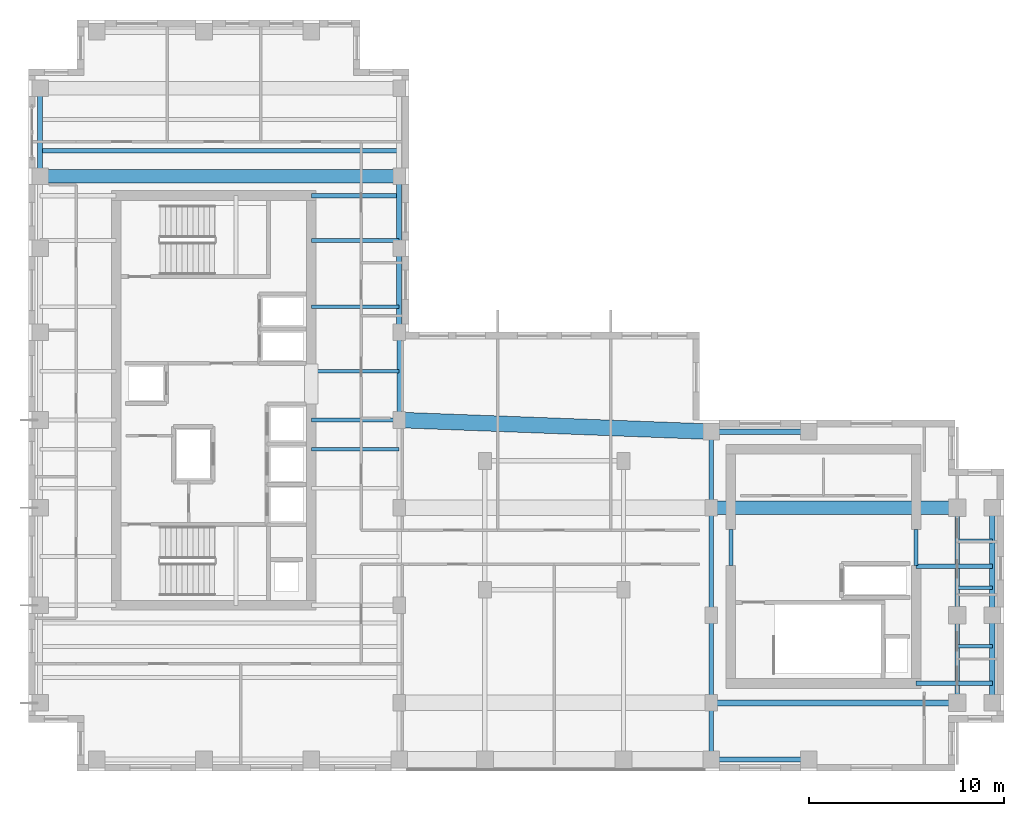
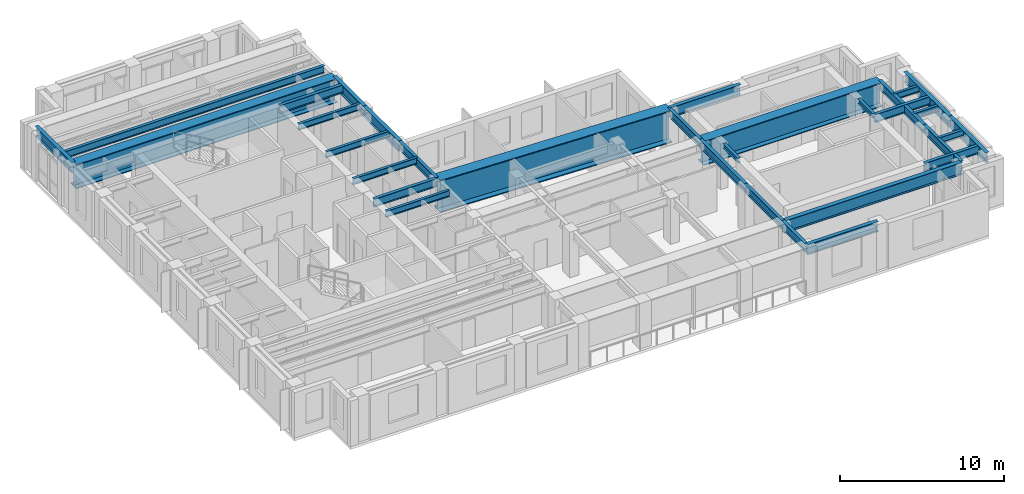
# One storey, part 3 of 13: 32 beams.
"""IFC4 building model written with IfcOpenShell, lengths in metres."""

from ifc_helpers import new_model, si_unit, direction, frame, origin, origin_2d, place, context, subcontext, project, spatial, i_section, extrude, source, transform, mapped, material, material_profile, profile_set, type_object, element, save


model = new_model("IFC4")

# Units and contexts
model_context = context("Model", 3, precision=1e-05, world=origin(), true_north=direction((0.0, 1.0)))
body_context = subcontext(model_context, "Body", "Model", "MODEL_VIEW")
ifc_project = project(units=[si_unit("LENGTHUNIT", "METRE"), si_unit("AREAUNIT", "SQUARE_METRE"), si_unit("VOLUMEUNIT", "CUBIC_METRE"), si_unit("PLANEANGLEUNIT", "RADIAN"), si_unit("MASSUNIT", "GRAM", prefix="KILO")], contexts=[model_context])

# Site, building, storey
site_placement = place(None, origin())
site = spatial("IfcSite", under=ifc_project, at=site_placement, CompositionType="ELEMENT")
building_placement = place(site_placement, origin())
building = spatial("IfcBuilding", under=site, at=building_placement, Name="Kharzan Plaza Tower", CompositionType="ELEMENT")
storey_placement = place(building_placement, frame((0.0, 0.0, 259.199951171875)))
storey = spatial("IfcBuildingStorey", under=building, at=storey_placement, Name="L70", CompositionType="ELEMENT", Elevation=259.199951171875)

# Beams
ifc_material = material(Name="Steel S355", Category="steel")
ifc_material_profile_1 = material_profile(ifc_material, i_section(OverallWidth=0.205078125, OverallDepth=0.35400390625, WebThickness=0.009521484375, FlangeThickness=0.016845703125, at=origin_2d()), Name="W360x79")
ifc_profile_set_1 = profile_set([ifc_material_profile_1], Name="Steel S355")
beam_type_1 = type_object("IfcBeamType", Name="BM-LNT360", PredefinedType="LINTEL", material=ifc_profile_set_1)
shared_shape_1 = source(origin(), body_context, "Body", "SweptSolid", [
    extrude(i_section(OverallWidth=0.205078125, OverallDepth=0.35400390625, WebThickness=0.009521484375, FlangeThickness=0.016845703125, at=origin_2d()), origin(), (0.0, 0.0, 1.0), 1.849853515625),
])
for number, where, z_axis, x_axis, name in (
    (1, (45.5, 10.550048828125, 3.22314453125), (0.0, 1.0, 0.0), (-1.0, 0.0, 0.0), "L70 CORE-B coupling lintel LN1-WE"),
    (2, (36.0, 10.550048828125, 3.22314453125), (0.0, 1.0, 0.0), (-1.0, 0.0, 0.0), "L70 CORE-B coupling lintel LN1-WW"),
):
    element("IfcBeam", number, at=place(storey_placement, frame(where, z_axis=z_axis, x_axis=x_axis)), inside=storey, type_object=beam_type_1, Name=name, PredefinedType="LINTEL", context=body_context, shape_type="MappedRepresentation", body=[
        mapped(shared_shape_1, transform((0.0, 0.0, 0.0), x_axis=(1.0, 0.0, 0.0), y_axis=(0.0, 1.0, 0.0), z_axis=(0.0, 0.0, 1.0))),
    ])
ifc_material_profile_2 = material_profile(ifc_material, i_section(OverallWidth=0.304931640625, OverallDepth=0.9189453125, WebThickness=0.017333984375, FlangeThickness=0.02783203125, at=origin_2d()), Name="W920x253")
ifc_profile_set_2 = profile_set([ifc_material_profile_2], Name="Steel S355")
beam_type_2 = type_object("IfcBeamType", Name="BM-FG920B", PredefinedType="BEAM", material=ifc_profile_set_2)
shared_shape_2 = source(origin(), body_context, "Body", "SweptSolid", [
    extrude(i_section(OverallWidth=0.304931640625, OverallDepth=0.9189453125, WebThickness=0.017333984375, FlangeThickness=0.02783203125, at=origin_2d()), origin(), (0.0, 0.0, 1.0), 12.60009765625),
])
beam_1_placement = place(storey_placement, frame((35.0, 3.5, 2.9404296875), z_axis=(1.0, 0.0, 0.0), x_axis=(0.0, 1.0, 0.0)))
element("IfcBeam", 3, at=beam_1_placement, inside=storey, type_object=beam_type_2, Name="L70 Primary Floor Girder", PredefinedType="BEAM", context=body_context, shape_type="MappedRepresentation", body=[
    mapped(shared_shape_2, transform((0.0, 0.0, 0.0), x_axis=(1.0, 0.0, 0.0), y_axis=(0.0, 1.0, 0.0), z_axis=(0.0, 0.0, 1.0))),
])
ifc_material_profile_3 = material_profile(ifc_material, i_section(OverallWidth=0.2099609375, OverallDepth=0.537109375, WebThickness=0.010986328125, FlangeThickness=0.017333984375, at=origin_2d()), Name="W530x101")
ifc_profile_set_3 = profile_set([ifc_material_profile_3], Name="Steel S355")
beam_type_3 = type_object("IfcBeamType", Name="BM-JST530B", PredefinedType="JOIST", material=ifc_profile_set_3)
shared_shape_3 = source(origin(), body_context, "Body", "SweptSolid", [
    extrude(i_section(OverallWidth=0.2099609375, OverallDepth=0.537109375, WebThickness=0.010986328125, FlangeThickness=0.017333984375, at=origin_2d()), origin(), (0.0, 0.0, 1.0), 18.39990234375),
])
beam_2_placement = place(storey_placement, frame((0.60009765625, 31.800048828125, 3.131591796875), z_axis=(1.0, 0.0, 0.0), x_axis=(0.0, 1.0, 0.0)))
element("IfcBeam", 4, at=beam_2_placement, inside=storey, type_object=beam_type_3, Name="L70 Wing A Composite Joist 04", PredefinedType="JOIST", context=body_context, shape_type="MappedRepresentation", body=[
    mapped(shared_shape_3, transform((0.0, 0.0, 0.0), x_axis=(1.0, 0.0, 0.0), y_axis=(0.0, 1.0, 0.0), z_axis=(0.0, 0.0, 1.0))),
])
ifc_material_profile_4 = material_profile(ifc_material, i_section(OverallWidth=0.194091796875, OverallDepth=0.468994140625, WebThickness=0.011474609375, FlangeThickness=0.0205078125, at=origin_2d()), Name="W460x106")
ifc_profile_set_4 = profile_set([ifc_material_profile_4], Name="Steel S355")
beam_type_4 = type_object("IfcBeamType", Name="BM-JST460", PredefinedType="JOIST", material=ifc_profile_set_4)
shared_shape_4 = source(origin(), body_context, "Body", "SweptSolid", [
    extrude(i_section(OverallWidth=0.194091796875, OverallDepth=0.468994140625, WebThickness=0.011474609375, FlangeThickness=0.0205078125, at=origin_2d()), origin(), (0.0, 0.0, 1.0), 4.5),
])
for number, where, z_axis, x_axis, name in (
    (5, (14.5, 16.5, 3.16552734375), (1.0, 0.0, 0.0), (0.0, 1.0, 0.0), "L70 Wing A East Infill Joist 3"),
    (6, (14.5, 20.5, 3.16552734375), (1.0, 0.0, 0.0), (0.0, 1.0, 0.0), "L70 Wing A East Infill Joist 4"),
    (7, (14.5, 23.800048828125, 3.16552734375), (1.0, 0.0, 0.0), (0.0, 1.0, 0.0), "L70 Wing A East Infill Joist 5"),
    (8, (14.5, 27.199951171875, 3.16552734375), (1.0, 0.0, 0.0), (0.0, 1.0, 0.0), "L70 Wing A East Infill Joist 6"),
):
    element("IfcBeam", number, at=place(storey_placement, frame(where, z_axis=z_axis, x_axis=x_axis)), inside=storey, type_object=beam_type_4, Name=name, PredefinedType="JOIST", context=body_context, shape_type="MappedRepresentation", body=[
        mapped(shared_shape_4, transform((0.0, 0.0, 0.0), x_axis=(1.0, 0.0, 0.0), y_axis=(0.0, 1.0, 0.0), z_axis=(0.0, 0.0, 1.0))),
    ])
ifc_material_profile_5 = material_profile(ifc_material, i_section(OverallWidth=0.22900390625, OverallDepth=0.612060546875, WebThickness=0.011962890625, FlangeThickness=0.01953125, at=origin_2d()), Name="W610x125")
ifc_profile_set_5 = profile_set([ifc_material_profile_5], Name="Steel S355")
beam_type_5 = type_object("IfcBeamType", Name="BM-FG610B", PredefinedType="BEAM", material=ifc_profile_set_5)
shared_shape_5 = source(origin(), body_context, "Body", "SweptSolid", [
    extrude(i_section(OverallWidth=0.22900390625, OverallDepth=0.612060546875, WebThickness=0.011962890625, FlangeThickness=0.01953125, at=origin_2d()), origin(), (0.0, 0.0, 1.0), 4.5),
])
for number, where, z_axis, x_axis, name in (
    (9, (14.5, 18.0, 3.093994140625), (1.0, 0.0, 0.0), (0.0, 1.0, 0.0), "L70 Core-A East Floor Girder 2"),
    (10, (14.5, 29.5, 3.093994140625), (1.0, 0.0, 0.0), (0.0, 1.0, 0.0), "L70 Core-A East Floor Girder 3"),
    (11, (19.0, 18.0, 3.093994140625), (0.0, 1.0, 0.0), (-1.0, 0.0, 0.0), "L70 Interior Frame Girder"),
    (12, (35.0, 3.5, 3.093994140625), (0.0, 1.0, 0.0), (-1.0, 0.0, 0.0), "L70 Interior Frame Girder"),
    (13, (47.60009765625, 3.5, 3.093994140625), (0.0, 1.0, 0.0), (-1.0, 0.0, 0.0), "L70 Interior Frame Girder"),
):
    element("IfcBeam", number, at=place(storey_placement, frame(where, z_axis=z_axis, x_axis=x_axis)), inside=storey, type_object=beam_type_5, Name=name, PredefinedType="BEAM", context=body_context, shape_type="MappedRepresentation", body=[
        mapped(shared_shape_5, transform((0.0, 0.0, 0.0), x_axis=(1.0, 0.0, 0.0), y_axis=(0.0, 1.0, 0.0), z_axis=(0.0, 0.0, 1.0))),
    ])
shared_shape_6 = source(origin(), body_context, "Body", "SweptSolid", [
    extrude(i_section(OverallWidth=0.22900390625, OverallDepth=0.612060546875, WebThickness=0.011962890625, FlangeThickness=0.01953125, at=origin_2d()), origin(), (0.0, 0.0, 1.0), 3.89990234375),
])
for number, where, z_axis, x_axis, name in (
    (14, (45.5, 4.5, 3.093994140625), (1.0, 0.0, 0.0), (0.0, 1.0, 0.0), "L70 Core-B East Floor Girder 1"),
    (15, (45.5, 10.5, 3.093994140625), (1.0, 0.0, 0.0), (0.0, 1.0, 0.0), "L70 Core-B East Floor Girder 2"),
    (16, (35.0, 13.5, 3.093994140625), (0.0, 1.0, 0.0), (-1.0, 0.0, 0.0), "L70 Interior Frame Girder"),
):
    element("IfcBeam", number, at=place(storey_placement, frame(where, z_axis=z_axis, x_axis=x_axis)), inside=storey, type_object=beam_type_5, Name=name, PredefinedType="BEAM", context=body_context, shape_type="MappedRepresentation", body=[
        mapped(shared_shape_6, transform((0.0, 0.0, 0.0), x_axis=(1.0, 0.0, 0.0), y_axis=(0.0, 1.0, 0.0), z_axis=(0.0, 0.0, 1.0))),
    ])
shared_shape_7 = source(origin(), body_context, "Body", "SweptSolid", [
    extrude(i_section(OverallWidth=0.22900390625, OverallDepth=0.612060546875, WebThickness=0.011962890625, FlangeThickness=0.01953125, at=origin_2d()), origin(), (0.0, 0.0, 1.0), 5.5),
])
for number, where, z_axis, x_axis, name in (
    (17, (35.0, 8.0, 3.093994140625), (0.0, 1.0, 0.0), (-1.0, 0.0, 0.0), "L70 Interior Frame Girder"),
    (18, (47.60009765625, 8.0, 3.093994140625), (0.0, 1.0, 0.0), (-1.0, 0.0, 0.0), "L70 Interior Frame Girder"),
):
    element("IfcBeam", number, at=place(storey_placement, frame(where, z_axis=z_axis, x_axis=x_axis)), inside=storey, type_object=beam_type_5, Name=name, PredefinedType="BEAM", context=body_context, shape_type="MappedRepresentation", body=[
        mapped(shared_shape_7, transform((0.0, 0.0, 0.0), x_axis=(1.0, 0.0, 0.0), y_axis=(0.0, 1.0, 0.0), z_axis=(0.0, 0.0, 1.0))),
    ])
shared_shape_8 = source(origin(), body_context, "Body", "SweptSolid", [
    extrude(i_section(OverallWidth=0.22900390625, OverallDepth=0.612060546875, WebThickness=0.011962890625, FlangeThickness=0.01953125, at=origin_2d()), origin(), (0.0, 0.0, 1.0), 2.89990234375),
])
beam_3_placement = place(storey_placement, frame((35.0, 0.60009765625, 3.093994140625), z_axis=(0.0, 1.0, 0.0), x_axis=(-1.0, 0.0, 0.0)))
element("IfcBeam", 19, at=beam_3_placement, inside=storey, type_object=beam_type_5, Name="L70 Interior Frame Girder", PredefinedType="BEAM", context=body_context, shape_type="MappedRepresentation", body=[
    mapped(shared_shape_8, transform((0.0, 0.0, 0.0), x_axis=(1.0, 0.0, 0.0), y_axis=(0.0, 1.0, 0.0), z_axis=(0.0, 0.0, 1.0))),
])
shared_shape_9 = source(origin(), body_context, "Body", "SweptSolid", [
    extrude(i_section(OverallWidth=0.194091796875, OverallDepth=0.468994140625, WebThickness=0.011474609375, FlangeThickness=0.0205078125, at=origin_2d()), origin(), (0.0, 0.0, 1.0), 1.7998046875),
])
for number, where, z_axis, x_axis, name in (
    (20, (47.60009765625, 6.39990234375, 3.16552734375), (1.0, 0.0, 0.0), (0.0, 1.0, 0.0), "L70 Wing B Composite Joist 02"),
    (21, (47.60009765625, 9.39990234375, 3.16552734375), (1.0, 0.0, 0.0), (0.0, 1.0, 0.0), "L70 Wing B Composite Joist 03"),
    (22, (47.60009765625, 11.800048828125, 3.16552734375), (1.0, 0.0, 0.0), (0.0, 1.0, 0.0), "L70 Wing B Composite Joist 04"),
):
    element("IfcBeam", number, at=place(storey_placement, frame(where, z_axis=z_axis, x_axis=x_axis)), inside=storey, type_object=beam_type_4, Name=name, PredefinedType="JOIST", context=body_context, shape_type="MappedRepresentation", body=[
        mapped(shared_shape_9, transform((0.0, 0.0, 0.0), x_axis=(1.0, 0.0, 0.0), y_axis=(0.0, 1.0, 0.0), z_axis=(0.0, 0.0, 1.0))),
    ])
ifc_material_profile_6 = material_profile(ifc_material, i_section(OverallWidth=0.26708984375, OverallDepth=0.76611328125, WebThickness=0.014892578125, FlangeThickness=0.023681640625, at=origin_2d()), Name="W760x185")
ifc_profile_set_6 = profile_set([ifc_material_profile_6], Name="Steel S355")
beam_type_6 = type_object("IfcBeamType", Name="BM-SP760B", PredefinedType="SPANDREL", material=ifc_profile_set_6)
shared_shape_10 = source(origin(), body_context, "Body", "SweptSolid", [
    extrude(i_section(OverallWidth=0.26708984375, OverallDepth=0.76611328125, WebThickness=0.014892578125, FlangeThickness=0.023681640625, at=origin_2d()), origin(), (0.0, 0.0, 1.0), 5.0),
])
for number, where, z_axis, x_axis, name in (
    (23, (35.0, 0.60009765625, 3.01708984375), (1.0, 0.0, 0.0), (0.0, 1.0, 0.0), "L70 Perimeter Tube Spandrel"),
    (24, (35.0, 17.39990234375, 3.01708984375), (1.0, 0.0, 0.0), (0.0, 1.0, 0.0), "L70 Perimeter Tube Spandrel"),
):
    element("IfcBeam", number, at=place(storey_placement, frame(where, z_axis=z_axis, x_axis=x_axis)), inside=storey, type_object=beam_type_6, Name=name, PredefinedType="SPANDREL", context=body_context, shape_type="MappedRepresentation", body=[
        mapped(shared_shape_10, transform((0.0, 0.0, 0.0), x_axis=(1.0, 0.0, 0.0), y_axis=(0.0, 1.0, 0.0), z_axis=(0.0, 0.0, 1.0))),
    ])
shared_shape_11 = source(origin(), body_context, "Body", "SweptSolid", [
    extrude(i_section(OverallWidth=0.26708984375, OverallDepth=0.76611328125, WebThickness=0.014892578125, FlangeThickness=0.023681640625, at=origin_2d()), origin(), (0.0, 0.0, 1.0), 4.5),
])
for number, where, z_axis, x_axis, name in (
    (25, (0.60009765625, 30.5, 3.01708984375), (0.0, 1.0, 0.0), (-1.0, 0.0, 0.0), "L70 Perimeter Tube Spandrel"),
    (26, (49.39990234375, 3.5, 3.01708984375), (0.0, 1.0, 0.0), (-1.0, 0.0, 0.0), "L70 Perimeter Tube Spandrel"),
):
    element("IfcBeam", number, at=place(storey_placement, frame(where, z_axis=z_axis, x_axis=x_axis)), inside=storey, type_object=beam_type_6, Name=name, PredefinedType="SPANDREL", context=body_context, shape_type="MappedRepresentation", body=[
        mapped(shared_shape_11, transform((0.0, 0.0, 0.0), x_axis=(1.0, 0.0, 0.0), y_axis=(0.0, 1.0, 0.0), z_axis=(0.0, 0.0, 1.0))),
    ])
shared_shape_12 = source(origin(), body_context, "Body", "SweptSolid", [
    extrude(i_section(OverallWidth=0.26708984375, OverallDepth=0.76611328125, WebThickness=0.014892578125, FlangeThickness=0.023681640625, at=origin_2d()), origin(), (0.0, 0.0, 1.0), 4.300048828125),
])
beam_4_placement = place(storey_placement, frame((19.0, 22.5, 3.01708984375), z_axis=(0.0, 1.0, 0.0), x_axis=(-1.0, 0.0, 0.0)))
element("IfcBeam", 27, at=beam_4_placement, inside=storey, type_object=beam_type_6, Name="L70 Perimeter Tube Spandrel", PredefinedType="SPANDREL", context=body_context, shape_type="MappedRepresentation", body=[
    mapped(shared_shape_12, transform((0.0, 0.0, 0.0), x_axis=(1.0, 0.0, 0.0), y_axis=(0.0, 1.0, 0.0), z_axis=(0.0, 0.0, 1.0))),
])
shared_shape_13 = source(origin(), body_context, "Body", "SweptSolid", [
    extrude(i_section(OverallWidth=0.26708984375, OverallDepth=0.76611328125, WebThickness=0.014892578125, FlangeThickness=0.023681640625, at=origin_2d()), origin(), (0.0, 0.0, 1.0), 3.699951171875),
])
beam_5_placement = place(storey_placement, frame((19.0, 26.800048828125, 3.01708984375), z_axis=(0.0, 1.0, 0.0), x_axis=(-1.0, 0.0, 0.0)))
element("IfcBeam", 28, at=beam_5_placement, inside=storey, type_object=beam_type_6, Name="L70 Perimeter Tube Spandrel", PredefinedType="SPANDREL", context=body_context, shape_type="MappedRepresentation", body=[
    mapped(shared_shape_13, transform((0.0, 0.0, 0.0), x_axis=(1.0, 0.0, 0.0), y_axis=(0.0, 1.0, 0.0), z_axis=(0.0, 0.0, 1.0))),
])
shared_shape_14 = source(origin(), body_context, "Body", "SweptSolid", [
    extrude(i_section(OverallWidth=0.26708984375, OverallDepth=0.76611328125, WebThickness=0.014892578125, FlangeThickness=0.023681640625, at=origin_2d()), origin(), (0.0, 0.0, 1.0), 5.5),
])
beam_6_placement = place(storey_placement, frame((49.39990234375, 8.0, 3.01708984375), z_axis=(0.0, 1.0, 0.0), x_axis=(-1.0, 0.0, 0.0)))
element("IfcBeam", 29, at=beam_6_placement, inside=storey, type_object=beam_type_6, Name="L70 Perimeter Tube Spandrel", PredefinedType="SPANDREL", context=body_context, shape_type="MappedRepresentation", body=[
    mapped(shared_shape_14, transform((0.0, 0.0, 0.0), x_axis=(1.0, 0.0, 0.0), y_axis=(0.0, 1.0, 0.0), z_axis=(0.0, 0.0, 1.0))),
])
ifc_material_profile_7 = material_profile(ifc_material, i_section(OverallWidth=0.800048828125, OverallDepth=2.39990234375, WebThickness=0.0400390625, FlangeThickness=0.070068359375, at=origin_2d()), Name="PG2400x800")
ifc_profile_set_7 = profile_set([ifc_material_profile_7], Name="Steel S355")
beam_type_7 = type_object("IfcBeamType", Name="BM-TG2400", PredefinedType="BEAM", material=ifc_profile_set_7)
shared_shape_15 = source(origin(), body_context, "Body", "SweptSolid", [
    extrude(i_section(OverallWidth=0.800048828125, OverallDepth=2.39990234375, WebThickness=0.0400390625, FlangeThickness=0.070068359375, at=origin_2d()), origin(), (0.0, 0.0, 1.0), 16.01123046875),
])
beam_7_placement = place(storey_placement, frame((19.0, 18.0, 2.199951171875), z_axis=(0.999297387291, -0.037479751251, 0.0), x_axis=(0.037479751251, 0.999297387291, 0.0)))
element("IfcBeam", 30, at=beam_7_placement, inside=storey, type_object=beam_type_7, Name="L70 L70 Wing-Split Cap Transfer Girder TG1-4", PredefinedType="BEAM", context=body_context, shape_type="MappedRepresentation", body=[
    mapped(shared_shape_15, transform((0.0, 0.0, 0.0), x_axis=(1.0, 0.0, 0.0), y_axis=(0.0, 1.0, 0.0), z_axis=(0.0, 0.0, 1.0))),
])
ifc_material_profile_8 = material_profile(ifc_material, i_section(OverallWidth=0.699951171875, OverallDepth=1.800048828125, WebThickness=0.035888671875, FlangeThickness=0.06005859375, at=origin_2d()), Name="PG1800x700")
ifc_profile_set_8 = profile_set([ifc_material_profile_8], Name="Steel S355")
beam_type_8 = type_object("IfcBeamType", Name="BM-TG1800", PredefinedType="BEAM", material=ifc_profile_set_8)
shared_shape_16 = source(origin(), body_context, "Body", "SweptSolid", [
    extrude(i_section(OverallWidth=0.699951171875, OverallDepth=1.800048828125, WebThickness=0.035888671875, FlangeThickness=0.06005859375, at=origin_2d()), origin(), (0.0, 0.0, 1.0), 12.60009765625),
])
beam_8_placement = place(storey_placement, frame((35.0, 13.5, 2.5), z_axis=(1.0, 0.0, 0.0), x_axis=(0.0, 1.0, 0.0)))
element("IfcBeam", 31, at=beam_8_placement, inside=storey, type_object=beam_type_8, Name="L70 L70 Cap Tie Plate Girder TG2-2", PredefinedType="BEAM", context=body_context, shape_type="MappedRepresentation", body=[
    mapped(shared_shape_16, transform((0.0, 0.0, 0.0), x_axis=(1.0, 0.0, 0.0), y_axis=(0.0, 1.0, 0.0), z_axis=(0.0, 0.0, 1.0))),
])
shared_shape_17 = source(origin(), body_context, "Body", "SweptSolid", [
    extrude(i_section(OverallWidth=0.699951171875, OverallDepth=1.800048828125, WebThickness=0.035888671875, FlangeThickness=0.06005859375, at=origin_2d()), origin(), (0.0, 0.0, 1.0), 18.39990234375),
])
beam_9_placement = place(storey_placement, frame((0.60009765625, 30.5, 2.5), z_axis=(1.0, 0.0, 0.0), x_axis=(0.0, 1.0, 0.0)))
element("IfcBeam", 32, at=beam_9_placement, inside=storey, type_object=beam_type_8, Name="L70 L70 Cap Tie Plate Girder TG2-3", PredefinedType="BEAM", context=body_context, shape_type="MappedRepresentation", body=[
    mapped(shared_shape_17, transform((0.0, 0.0, 0.0), x_axis=(1.0, 0.0, 0.0), y_axis=(0.0, 1.0, 0.0), z_axis=(0.0, 0.0, 1.0))),
])

save(model, "model.ifc")
